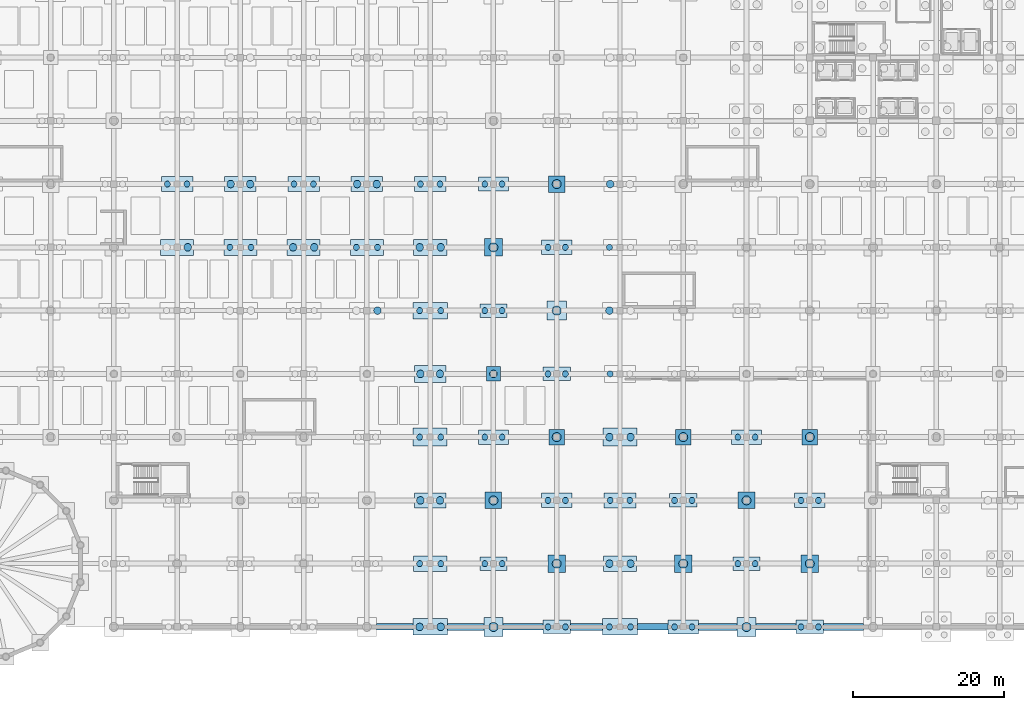
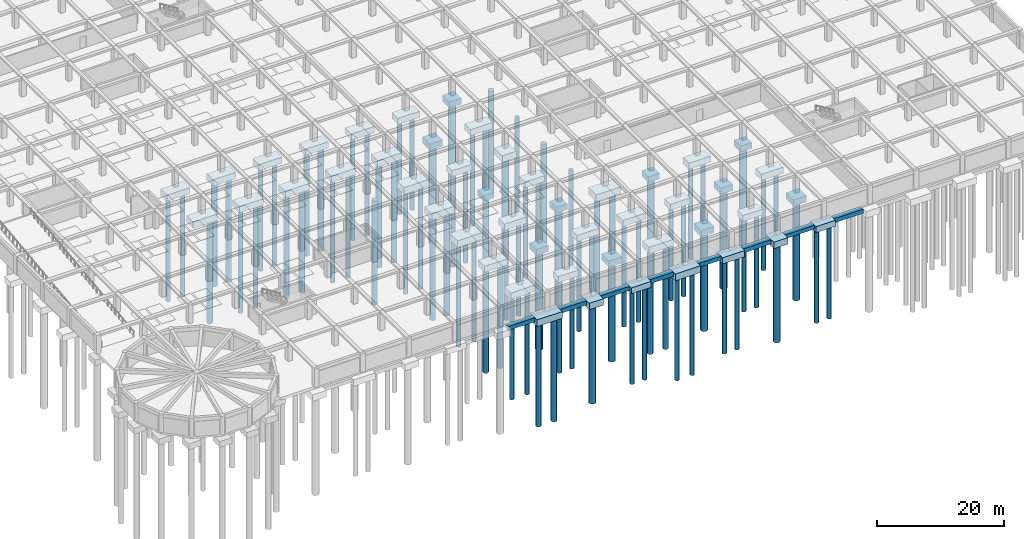
# One storey, part 2 of 47: 86 piles, 56 footings.
"""IFC4 building model written with IfcOpenShell, lengths in metres."""

from ifc_helpers import new_model, si_unit, direction, frame, origin, origin_2d, place, context, subcontext, project, spatial, rectangle, circle, extrude, material, layer, layer_set, material_profile, profile_set, type_object, element, save


model = new_model("IFC4")

# Units and contexts
model_context = context("Model", 3, precision=1e-05, world=origin(), true_north=direction((0.0, 1.0)))
body_context = subcontext(model_context, "Body", "Model", "MODEL_VIEW")
ifc_project = project(units=[si_unit("LENGTHUNIT", "METRE"), si_unit("AREAUNIT", "SQUARE_METRE"), si_unit("VOLUMEUNIT", "CUBIC_METRE"), si_unit("PLANEANGLEUNIT", "RADIAN"), si_unit("MASSUNIT", "GRAM", prefix="KILO")], contexts=[model_context])

# Site, building, storey
site_placement = place(None, origin())
site = spatial("IfcSite", under=ifc_project, at=site_placement, CompositionType="ELEMENT")
building_placement = place(site_placement, origin())
building = spatial("IfcBuilding", under=site, at=building_placement, Name="Almacenes y Pasaje Nevantli", CompositionType="ELEMENT")
storey_placement = place(building_placement, frame((0.0, 0.0, -8.10009765625)))
storey = spatial("IfcBuildingStorey", under=building, at=storey_placement, Name="B02", CompositionType="ELEMENT", Elevation=-8.10009765625)

# Footings
ifc_material_1 = material(Name="Concrete C45/55", Category="concrete")
ifc_layer_1 = layer(ifc_material_1, 1.300048828125)
ifc_layer_set_1 = layer_set([ifc_layer_1], Name="Concrete C45/55")
footing_type_1 = type_object("IfcFootingType", Name="FT-PC-06", PredefinedType="PILE_CAP", material=ifc_layer_set_1)
for number, where, z_axis, x_axis, name in (
    (1, (67.199951171875, 0.0, -1.7998046875), (0.0, 0.0, 1.0), (1.0, 0.0, 0.0), "Reinforced Concrete Pile Cap PC-06 #113"),
    (2, (67.199951171875, 42.0, -1.7998046875), (0.0, 0.0, 1.0), (1.0, 0.0, 0.0), "Reinforced Concrete Pile Cap PC-06 #118"),
    (3, (92.39990234375, 0.0, -1.7998046875), (0.0, 0.0, 1.0), (1.0, 0.0, 0.0), "Reinforced Concrete Pile Cap PC-06 #158"),
):
    element("IfcFooting", number, at=place(storey_placement, frame(where, z_axis=z_axis, x_axis=x_axis)), inside=storey, type_object=footing_type_1, Name=name, PredefinedType="PILE_CAP", context=body_context, shape_type="SweptSolid", body=[
        extrude(rectangle(XDim=4.60009765625, YDim=2.199951171875, at=origin_2d()), origin(), (0.0, 0.0, 1.0), 1.300048828125),
    ])
ifc_material_2 = material(Name="Concrete C45/55", Category="concrete")
ifc_layer_2 = layer(ifc_material_2, 1.25)
ifc_layer_set_2 = layer_set([ifc_layer_2], Name="Concrete C45/55")
footing_type_2 = type_object("IfcFootingType", Name="FT-PC-07", PredefinedType="PILE_CAP", material=ifc_layer_set_2)
for number, where, z_axis, x_axis, name in (
    (4, (33.60009765625, 50.39990234375, -1.75), (0.0, 0.0, 1.0), (1.0, 0.0, 0.0), "Reinforced Concrete Pile Cap PC-07 #59"),
    (5, (42.0, 50.39990234375, -1.75), (0.0, 0.0, 1.0), (1.0, 0.0, 0.0), "Reinforced Concrete Pile Cap PC-07 #74"),
    (6, (50.39990234375, 50.39990234375, -1.75), (0.0, 0.0, 1.0), (1.0, 0.0, 0.0), "Reinforced Concrete Pile Cap PC-07 #89"),
    (7, (58.800048828125, 50.39990234375, -1.75), (0.0, 0.0, 1.0), (1.0, 0.0, 0.0), "Reinforced Concrete Pile Cap PC-07 #104"),
    (8, (67.199951171875, 8.39990234375, -1.75), (0.0, 0.0, 1.0), (1.0, 0.0, 0.0), "Reinforced Concrete Pile Cap PC-07 #114"),
    (9, (67.199951171875, 50.39990234375, -1.75), (0.0, 0.0, 1.0), (1.0, 0.0, 0.0), "Reinforced Concrete Pile Cap PC-07 #119"),
    (10, (92.39990234375, 8.39990234375, -1.75), (0.0, 0.0, 1.0), (1.0, 0.0, 0.0), "Reinforced Concrete Pile Cap PC-07 #159"),
):
    element("IfcFooting", number, at=place(storey_placement, frame(where, z_axis=z_axis, x_axis=x_axis)), inside=storey, type_object=footing_type_2, Name=name, PredefinedType="PILE_CAP", context=body_context, shape_type="SweptSolid", body=[
        extrude(rectangle(XDim=4.39990234375, YDim=2.10009765625, at=origin_2d()), origin(), (0.0, 0.0, 1.0), 1.25),
    ])
ifc_material_3 = material(Name="Concrete C45/55", Category="concrete")
ifc_layer_3 = layer(ifc_material_3, 1.199951171875)
ifc_layer_set_3 = layer_set([ifc_layer_3], Name="Concrete C45/55")
footing_type_3 = type_object("IfcFootingType", Name="FT-PC-08", PredefinedType="PILE_CAP", material=ifc_layer_set_3)
for number, where, z_axis, x_axis, name in (
    (11, (33.60009765625, 58.800048828125, -1.69970703125), (0.0, 0.0, 1.0), (1.0, 0.0, 0.0), "Reinforced Concrete Pile Cap PC-08 #60"),
    (12, (42.0, 58.800048828125, -1.69970703125), (0.0, 0.0, 1.0), (1.0, 0.0, 0.0), "Reinforced Concrete Pile Cap PC-08 #75"),
    (13, (50.39990234375, 58.800048828125, -1.69970703125), (0.0, 0.0, 1.0), (1.0, 0.0, 0.0), "Reinforced Concrete Pile Cap PC-08 #90"),
    (14, (58.800048828125, 58.800048828125, -1.69970703125), (0.0, 0.0, 1.0), (1.0, 0.0, 0.0), "Reinforced Concrete Pile Cap PC-08 #105"),
    (15, (67.199951171875, 16.800048828125, -1.69970703125), (0.0, 0.0, 1.0), (1.0, 0.0, 0.0), "Reinforced Concrete Pile Cap PC-08 #115"),
    (16, (67.199951171875, 58.800048828125, -1.69970703125), (0.0, 0.0, 1.0), (1.0, 0.0, 0.0), "Reinforced Concrete Pile Cap PC-08 #120"),
    (17, (92.39990234375, 16.800048828125, -1.69970703125), (0.0, 0.0, 1.0), (1.0, 0.0, 0.0), "Reinforced Concrete Pile Cap PC-08 #160"),
):
    element("IfcFooting", number, at=place(storey_placement, frame(where, z_axis=z_axis, x_axis=x_axis)), inside=storey, type_object=footing_type_3, Name=name, PredefinedType="PILE_CAP", context=body_context, shape_type="SweptSolid", body=[
        extrude(rectangle(XDim=4.199951171875, YDim=2.0, at=origin_2d()), origin(), (0.0, 0.0, 1.0), 1.199951171875),
    ])
ifc_material_4 = material(Name="Concrete C45/55", Category="concrete")
ifc_layer_4 = layer(ifc_material_4, 1.199951171875)
ifc_layer_set_4 = layer_set([ifc_layer_4], Name="Concrete C45/55")
footing_type_4 = type_object("IfcFootingType", Name="FT-PC-09", PredefinedType="PILE_CAP", material=ifc_layer_set_4)
for number, where, z_axis, x_axis, name in (
    (18, (75.60009765625, 25.199951171875, -1.69970703125), (0.0, 0.0, 1.0), (1.0, 0.0, 0.0), "Reinforced Concrete Pile Cap PC-09 #131"),
    (19, (75.60009765625, 58.800048828125, -1.69970703125), (0.0, 0.0, 1.0), (1.0, 0.0, 0.0), "Reinforced Concrete Pile Cap PC-09 #135"),
    (20, (84.0, 16.800048828125, -1.69970703125), (0.0, 0.0, 1.0), (1.0, 0.0, 0.0), "Reinforced Concrete Pile Cap PC-09 #145"),
    (21, (84.0, 50.39990234375, -1.69970703125), (0.0, 0.0, 1.0), (1.0, 0.0, 0.0), "Reinforced Concrete Pile Cap PC-09 #149"),
    (22, (100.800048828125, 0.0, -1.69970703125), (0.0, 0.0, 1.0), (1.0, 0.0, 0.0), "Reinforced Concrete Pile Cap PC-09 #173"),
    (23, (109.199951171875, 25.199951171875, -1.69970703125), (0.0, 0.0, 1.0), (1.0, 0.0, 0.0), "Reinforced Concrete Pile Cap PC-09 #191"),
    (24, (117.60009765625, 16.800048828125, -1.69970703125), (0.0, 0.0, 1.0), (1.0, 0.0, 0.0), "Reinforced Concrete Pile Cap PC-09 #205"),
):
    element("IfcFooting", number, at=place(storey_placement, frame(where, z_axis=z_axis, x_axis=x_axis)), inside=storey, type_object=footing_type_4, Name=name, PredefinedType="PILE_CAP", context=body_context, shape_type="SweptSolid", body=[
        extrude(rectangle(XDim=4.0, YDim=1.89990234375, at=origin_2d()), origin(), (0.0, 0.0, 1.0), 1.199951171875),
    ])
ifc_material_5 = material(Name="Concrete C45/55", Category="concrete")
ifc_layer_5 = layer(ifc_material_5, 1.14990234375)
ifc_layer_set_5 = layer_set([ifc_layer_5], Name="Concrete C45/55")
footing_type_5 = type_object("IfcFootingType", Name="FT-PC-11", PredefinedType="PILE_CAP", material=ifc_layer_set_5)
for number, where, z_axis, x_axis, name in (
    (25, (75.60009765625, 8.39990234375, -1.64990234375), (0.0, 0.0, 1.0), (1.0, 0.0, 0.0), "Reinforced Concrete Pile Cap PC-11 #129"),
    (26, (75.60009765625, 42.0, -1.64990234375), (0.0, 0.0, 1.0), (1.0, 0.0, 0.0), "Reinforced Concrete Pile Cap PC-11 #133"),
    (27, (84.0, 0.0, -1.64990234375), (0.0, 0.0, 1.0), (1.0, 0.0, 0.0), "Reinforced Concrete Pile Cap PC-11 #143"),
    (28, (84.0, 33.60009765625, -1.64990234375), (0.0, 0.0, 1.0), (1.0, 0.0, 0.0), "Reinforced Concrete Pile Cap PC-11 #147"),
    (29, (100.800048828125, 16.800048828125, -1.64990234375), (0.0, 0.0, 1.0), (1.0, 0.0, 0.0), "Reinforced Concrete Pile Cap PC-11 #175"),
    (30, (109.199951171875, 8.39990234375, -1.64990234375), (0.0, 0.0, 1.0), (1.0, 0.0, 0.0), "Reinforced Concrete Pile Cap PC-11 #189"),
    (31, (117.60009765625, 0.0, -1.64990234375), (0.0, 0.0, 1.0), (1.0, 0.0, 0.0), "Reinforced Concrete Pile Cap PC-11 #203"),
):
    element("IfcFooting", number, at=place(storey_placement, frame(where, z_axis=z_axis, x_axis=x_axis)), inside=storey, type_object=footing_type_5, Name=name, PredefinedType="PILE_CAP", context=body_context, shape_type="SweptSolid", body=[
        extrude(rectangle(XDim=3.60009765625, YDim=1.800048828125, at=origin_2d()), origin(), (0.0, 0.0, 1.0), 1.14990234375),
    ])
ifc_material_6 = material(Name="Concrete C45/55", Category="concrete")
ifc_layer_6 = layer(ifc_material_6, 1.25)
ifc_layer_set_6 = layer_set([ifc_layer_6], Name="Concrete C45/55")
footing_type_6 = type_object("IfcFootingType", Name="FT-PC-15", PredefinedType="PILE_CAP", material=ifc_layer_set_6)
for number, where, z_axis, x_axis, name in (
    (32, (75.60009765625, 0.0, -1.75), (0.0, 0.0, 1.0), (1.0, 0.0, 0.0), "Reinforced Concrete Pile Cap PC-15 #128"),
    (33, (84.0, 42.0, -1.75), (0.0, 0.0, 1.0), (1.0, 0.0, 0.0), "Reinforced Concrete Pile Cap PC-15 #148"),
    (34, (109.199951171875, 0.0, -1.75), (0.0, 0.0, 1.0), (1.0, 0.0, 0.0), "Reinforced Concrete Pile Cap PC-15 #188"),
):
    element("IfcFooting", number, at=place(storey_placement, frame(where, z_axis=z_axis, x_axis=x_axis)), inside=storey, type_object=footing_type_6, Name=name, PredefinedType="PILE_CAP", context=body_context, shape_type="SweptSolid", body=[
        extrude(rectangle(XDim=2.550048828125, YDim=2.550048828125, at=origin_2d()), origin(), (0.0, 0.0, 1.0), 1.25),
    ])
ifc_material_7 = material(Name="Concrete C45/55", Category="concrete")
ifc_layer_7 = layer(ifc_material_7, 1.199951171875)
ifc_layer_set_7 = layer_set([ifc_layer_7], Name="Concrete C45/55")
footing_type_7 = type_object("IfcFootingType", Name="FT-PC-16", PredefinedType="PILE_CAP", material=ifc_layer_set_7)
for number, where, z_axis, x_axis, name in (
    (35, (75.60009765625, 50.39990234375, -1.69970703125), (0.0, 0.0, 1.0), (1.0, 0.0, 0.0), "Reinforced Concrete Pile Cap PC-16 #134"),
    (36, (84.0, 8.39990234375, -1.69970703125), (0.0, 0.0, 1.0), (1.0, 0.0, 0.0), "Reinforced Concrete Pile Cap PC-16 #144"),
    (37, (100.800048828125, 8.39990234375, -1.69970703125), (0.0, 0.0, 1.0), (1.0, 0.0, 0.0), "Reinforced Concrete Pile Cap PC-16 #174"),
    (38, (117.60009765625, 8.39990234375, -1.69970703125), (0.0, 0.0, 1.0), (1.0, 0.0, 0.0), "Reinforced Concrete Pile Cap PC-16 #204"),
):
    element("IfcFooting", number, at=place(storey_placement, frame(where, z_axis=z_axis, x_axis=x_axis)), inside=storey, type_object=footing_type_7, Name=name, PredefinedType="PILE_CAP", context=body_context, shape_type="SweptSolid", body=[
        extrude(rectangle(XDim=2.35009765625, YDim=2.35009765625, at=origin_2d()), origin(), (0.0, 0.0, 1.0), 1.199951171875),
    ])
ifc_material_8 = material(Name="Concrete C45/55", Category="concrete")
ifc_layer_8 = layer(ifc_material_8, 1.14990234375)
ifc_layer_set_8 = layer_set([ifc_layer_8], Name="Concrete C45/55")
footing_type_8 = type_object("IfcFootingType", Name="FT-PC-17", PredefinedType="PILE_CAP", material=ifc_layer_set_8)
for number, where, z_axis, x_axis, name in (
    (39, (75.60009765625, 16.800048828125, -1.64990234375), (0.0, 0.0, 1.0), (1.0, 0.0, 0.0), "Reinforced Concrete Pile Cap PC-17 #130"),
    (40, (84.0, 58.800048828125, -1.64990234375), (0.0, 0.0, 1.0), (1.0, 0.0, 0.0), "Reinforced Concrete Pile Cap PC-17 #150"),
    (41, (109.199951171875, 16.800048828125, -1.64990234375), (0.0, 0.0, 1.0), (1.0, 0.0, 0.0), "Reinforced Concrete Pile Cap PC-17 #190"),
):
    element("IfcFooting", number, at=place(storey_placement, frame(where, z_axis=z_axis, x_axis=x_axis)), inside=storey, type_object=footing_type_8, Name=name, PredefinedType="PILE_CAP", context=body_context, shape_type="SweptSolid", body=[
        extrude(rectangle(XDim=2.199951171875, YDim=2.199951171875, at=origin_2d()), origin(), (0.0, 0.0, 1.0), 1.14990234375),
    ])
ifc_material_9 = material(Name="Concrete C45/55", Category="concrete")
ifc_layer_9 = layer(ifc_material_9, 1.10009765625)
ifc_layer_set_9 = layer_set([ifc_layer_9], Name="Concrete C45/55")
footing_type_9 = type_object("IfcFootingType", Name="FT-PC-18", PredefinedType="PILE_CAP", material=ifc_layer_set_9)
for number, where, z_axis, x_axis, name in (
    (42, (84.0, 25.199951171875, -1.599853515625), (0.0, 0.0, 1.0), (1.0, 0.0, 0.0), "Reinforced Concrete Pile Cap PC-18 #146"),
    (43, (100.800048828125, 25.199951171875, -1.599853515625), (0.0, 0.0, 1.0), (1.0, 0.0, 0.0), "Reinforced Concrete Pile Cap PC-18 #176"),
    (44, (117.60009765625, 25.199951171875, -1.599853515625), (0.0, 0.0, 1.0), (1.0, 0.0, 0.0), "Reinforced Concrete Pile Cap PC-18 #206"),
):
    element("IfcFooting", number, at=place(storey_placement, frame(where, z_axis=z_axis, x_axis=x_axis)), inside=storey, type_object=footing_type_9, Name=name, PredefinedType="PILE_CAP", context=body_context, shape_type="SweptSolid", body=[
        extrude(rectangle(XDim=2.050048828125, YDim=2.050048828125, at=origin_2d()), origin(), (0.0, 0.0, 1.0), 1.10009765625),
    ])
ifc_material_10 = material(Name="Concrete C45/55", Category="concrete")
ifc_layer_10 = layer(ifc_material_10, 1.050048828125)
ifc_layer_set_10 = layer_set([ifc_layer_10], Name="Concrete C45/55")
footing_type_10 = type_object("IfcFootingType", Name="FT-PC-19", PredefinedType="PILE_CAP", material=ifc_layer_set_10)
footing_1_placement = place(storey_placement, frame((75.60009765625, 33.60009765625, -1.5498046875), z_axis=(0.0, 0.0, 1.0), x_axis=(1.0, 0.0, 0.0)))
element("IfcFooting", 45, at=footing_1_placement, inside=storey, type_object=footing_type_10, Name="Reinforced Concrete Pile Cap PC-19 #132", PredefinedType="PILE_CAP", context=body_context, shape_type="SweptSolid", body=[
    extrude(rectangle(XDim=1.89990234375, YDim=1.89990234375, at=origin_2d()), origin(), (0.0, 0.0, 1.0), 1.050048828125),
])
ifc_material_11 = material(Name="Concrete C45/55", Category="concrete")
ifc_layer_11 = layer(ifc_material_11, 1.300048828125)
ifc_layer_set_11 = layer_set([ifc_layer_11], Name="Concrete C45/55")
footing_type_11 = type_object("IfcFootingType", Name="FT-PC-20", PredefinedType="PILE_CAP", material=ifc_layer_set_11)
for number, where, z_axis, x_axis, name in (
    (46, (67.199951171875, 25.199951171875, -1.7998046875), (0.0, 0.0, 1.0), (1.0, 0.0, 0.0), "Reinforced Concrete Pile Cap PC-20 #116"),
    (47, (92.39990234375, 25.199951171875, -1.7998046875), (0.0, 0.0, 1.0), (1.0, 0.0, 0.0), "Reinforced Concrete Pile Cap PC-20 #161"),
):
    element("IfcFooting", number, at=place(storey_placement, frame(where, z_axis=z_axis, x_axis=x_axis)), inside=storey, type_object=footing_type_11, Name=name, PredefinedType="PILE_CAP", context=body_context, shape_type="SweptSolid", body=[
        extrude(rectangle(XDim=4.5, YDim=2.39990234375, at=origin_2d()), origin(), (0.0, 0.0, 1.0), 1.300048828125),
    ])
ifc_material_12 = material(Name="Concrete C45/55", Category="concrete")
ifc_layer_12 = layer(ifc_material_12, 1.25)
ifc_layer_set_12 = layer_set([ifc_layer_12], Name="Concrete C45/55")
footing_type_12 = type_object("IfcFootingType", Name="FT-PC-21", PredefinedType="PILE_CAP", material=ifc_layer_set_12)
footing_2_placement = place(storey_placement, frame((67.199951171875, 33.60009765625, -1.75), z_axis=(0.0, 0.0, 1.0), x_axis=(1.0, 0.0, 0.0)))
element("IfcFooting", 48, at=footing_2_placement, inside=storey, type_object=footing_type_12, Name="Reinforced Concrete Pile Cap PC-21 #117", PredefinedType="PILE_CAP", context=body_context, shape_type="SweptSolid", body=[
    extrude(rectangle(XDim=4.14990234375, YDim=2.25, at=origin_2d()), origin(), (0.0, 0.0, 1.0), 1.25),
])
ifc_material_13 = material(Name="Concrete C45/55", Category="concrete")
ifc_layer_13 = layer(ifc_material_13, 0.800048828125)
ifc_layer_set_13 = layer_set([ifc_layer_13], Name="Concrete C45/55")
footing_type_13 = type_object("IfcFootingType", Name="FT-SF-01", PredefinedType="STRIP_FOOTING", material=ifc_layer_set_13)
footing_3_placement = place(storey_placement, frame((71.91259765625, 0.0, -1.2998046875), z_axis=(0.0, 0.0, 1.0), x_axis=(1.0, 0.0, 0.0)))
element("IfcFooting", 49, at=footing_3_placement, inside=storey, type_object=footing_type_13, Name="Continuous Perimeter Strip Footing #25", PredefinedType="STRIP_FOOTING", context=body_context, shape_type="SweptSolid", body=[
    extrude(rectangle(XDim=4.824951171875, YDim=0.89990234375, at=origin_2d()), origin(), (0.0, 0.0, 1.0), 0.800048828125),
])
footing_4_placement = place(storey_placement, frame((87.949951171875, 0.0, -1.2998046875), z_axis=(0.0, 0.0, 1.0), x_axis=(1.0, 0.0, 0.0)))
element("IfcFooting", 50, at=footing_4_placement, inside=storey, type_object=footing_type_13, Name="Continuous Perimeter Strip Footing #27", PredefinedType="STRIP_FOOTING", context=body_context, shape_type="SweptSolid", body=[
    extrude(rectangle(XDim=4.300048828125, YDim=0.89990234375, at=origin_2d()), origin(), (0.0, 0.0, 1.0), 0.800048828125),
])
footing_5_placement = place(storey_placement, frame((105.362548828125, 0.0, -1.2998046875), z_axis=(0.0, 0.0, 1.0), x_axis=(1.0, 0.0, 0.0)))
element("IfcFooting", 51, at=footing_5_placement, inside=storey, type_object=footing_type_13, Name="Continuous Perimeter Strip Footing #29", PredefinedType="STRIP_FOOTING", context=body_context, shape_type="SweptSolid", body=[
    extrude(rectangle(XDim=5.125, YDim=0.89990234375, at=origin_2d()), origin(), (0.0, 0.0, 1.0), 0.800048828125),
])
footing_6_placement = place(storey_placement, frame((122.0625, 0.0, -1.2998046875), z_axis=(0.0, 0.0, 1.0), x_axis=(1.0, 0.0, 0.0)))
element("IfcFooting", 52, at=footing_6_placement, inside=storey, type_object=footing_type_13, Name="Continuous Perimeter Strip Footing #31", PredefinedType="STRIP_FOOTING", context=body_context, shape_type="SweptSolid", body=[
    extrude(rectangle(XDim=5.324951171875, YDim=0.89990234375, at=origin_2d()), origin(), (0.0, 0.0, 1.0), 0.800048828125),
])
ifc_material_14 = material(Name="Concrete C45/55", Category="concrete")
ifc_layer_14 = layer(ifc_material_14, 0.75)
ifc_layer_set_14 = layer_set([ifc_layer_14], Name="Concrete C45/55")
footing_type_14 = type_object("IfcFootingType", Name="FT-SF-02", PredefinedType="STRIP_FOOTING", material=ifc_layer_set_14)
footing_7_placement = place(storey_placement, frame((62.487548828125, 0.0, -1.25), z_axis=(0.0, 0.0, 1.0), x_axis=(1.0, 0.0, 0.0)))
element("IfcFooting", 53, at=footing_7_placement, inside=storey, type_object=footing_type_14, Name="Continuous Perimeter Strip Footing #24", PredefinedType="STRIP_FOOTING", context=body_context, shape_type="SweptSolid", body=[
    extrude(rectangle(XDim=4.824951171875, YDim=0.85009765625, at=origin_2d()), origin(), (0.0, 0.0, 1.0), 0.75),
])
footing_8_placement = place(storey_placement, frame((79.53759765625, 0.0, -1.25), z_axis=(0.0, 0.0, 1.0), x_axis=(1.0, 0.0, 0.0)))
element("IfcFooting", 54, at=footing_8_placement, inside=storey, type_object=footing_type_14, Name="Continuous Perimeter Strip Footing #26", PredefinedType="STRIP_FOOTING", context=body_context, shape_type="SweptSolid", body=[
    extrude(rectangle(XDim=5.324951171875, YDim=0.85009765625, at=origin_2d()), origin(), (0.0, 0.0, 1.0), 0.75),
])
footing_9_placement = place(storey_placement, frame((96.75, 0.0, -1.25), z_axis=(0.0, 0.0, 1.0), x_axis=(1.0, 0.0, 0.0)))
element("IfcFooting", 55, at=footing_9_placement, inside=storey, type_object=footing_type_14, Name="Continuous Perimeter Strip Footing #28", PredefinedType="STRIP_FOOTING", context=body_context, shape_type="SweptSolid", body=[
    extrude(rectangle(XDim=4.10009765625, YDim=0.85009765625, at=origin_2d()), origin(), (0.0, 0.0, 1.0), 0.75),
])
footing_10_placement = place(storey_placement, frame((113.137451171875, 0.0, -1.25), z_axis=(0.0, 0.0, 1.0), x_axis=(1.0, 0.0, 0.0)))
element("IfcFooting", 56, at=footing_10_placement, inside=storey, type_object=footing_type_14, Name="Continuous Perimeter Strip Footing #30", PredefinedType="STRIP_FOOTING", context=body_context, shape_type="SweptSolid", body=[
    extrude(rectangle(XDim=5.324951171875, YDim=0.85009765625, at=origin_2d()), origin(), (0.0, 0.0, 1.0), 0.75),
])

# Piles
ifc_material_15 = material(Name="Concrete C45/55", Category="concrete")
ifc_material_profile_1 = material_profile(ifc_material_15, circle(Radius=0.5, at=origin_2d()), Name="RC-PILE-D1000")
ifc_profile_set_1 = profile_set([ifc_material_profile_1], Name="Concrete C45/55")
pile_type_1 = type_object("IfcPileType", Name="PL-BORED-1000", PredefinedType="BORED", material=ifc_profile_set_1)
for number, where, z_axis, x_axis, name in (
    (57, (35.0, 50.39990234375, -1.699951171875), (0.0, 0.0, -1.0), (1.0, 0.0, 0.0), "Bored Pile PL-1000 #90"),
    (58, (40.699951171875, 58.800048828125, -1.64990234375), (0.0, 0.0, -1.0), (1.0, 0.0, 0.0), "Bored Pile PL-1000 #116"),
    (59, (43.300048828125, 58.800048828125, -1.64990234375), (0.0, 0.0, -1.0), (1.0, 0.0, 0.0), "Bored Pile PL-1000 #117"),
    (60, (49.0, 50.39990234375, -1.699951171875), (0.0, 0.0, -1.0), (1.0, 0.0, 0.0), "Bored Pile PL-1000 #139"),
    (61, (51.800048828125, 50.39990234375, -1.699951171875), (0.0, 0.0, -1.0), (1.0, 0.0, 0.0), "Bored Pile PL-1000 #140"),
    (62, (60.199951171875, 42.0, -1.75), (0.0, 0.0, -1.0), (1.0, 0.0, 0.0), "Bored Pile PL-1000 #163"),
    (63, (57.5, 58.800048828125, -1.64990234375), (0.0, 0.0, -1.0), (1.0, 0.0, 0.0), "Bored Pile PL-1000 #166"),
    (64, (60.10009765625, 58.800048828125, -1.64990234375), (0.0, 0.0, -1.0), (1.0, 0.0, 0.0), "Bored Pile PL-1000 #167"),
    (65, (65.800048828125, 0.0, -1.75), (0.0, 0.0, -1.0), (1.0, 0.0, 0.0), "Bored Pile PL-1000 #179"),
    (66, (68.60009765625, 0.0, -1.75), (0.0, 0.0, -1.0), (1.0, 0.0, 0.0), "Bored Pile PL-1000 #180"),
    (67, (65.89990234375, 16.800048828125, -1.64990234375), (0.0, 0.0, -1.0), (1.0, 0.0, 0.0), "Bored Pile PL-1000 #183"),
    (68, (68.5, 16.800048828125, -1.64990234375), (0.0, 0.0, -1.0), (1.0, 0.0, 0.0), "Bored Pile PL-1000 #184"),
    (69, (65.89990234375, 33.60009765625, -1.699951171875), (0.0, 0.0, -1.0), (1.0, 0.0, 0.0), "Bored Pile PL-1000 #187"),
    (70, (68.5, 33.60009765625, -1.699951171875), (0.0, 0.0, -1.0), (1.0, 0.0, 0.0), "Bored Pile PL-1000 #188"),
    (71, (65.800048828125, 50.39990234375, -1.699951171875), (0.0, 0.0, -1.0), (1.0, 0.0, 0.0), "Bored Pile PL-1000 #191"),
    (72, (68.60009765625, 50.39990234375, -1.699951171875), (0.0, 0.0, -1.0), (1.0, 0.0, 0.0), "Bored Pile PL-1000 #192"),
):
    element("IfcPile", number, at=place(storey_placement, frame(where, z_axis=z_axis, x_axis=x_axis)), inside=storey, type_object=pile_type_1, Name=name, PredefinedType="BORED", context=body_context, shape_type="SweptSolid", body=[
        extrude(circle(Radius=0.5, at=origin_2d()), origin(), (0.0, 0.0, 1.0), 20.0),
    ])
pile_placement = place(storey_placement, frame((75.60009765625, 33.60009765625, -1.5), z_axis=(0.0, 0.0, -1.0), x_axis=(1.0, 0.0, 0.0)))
element("IfcPile", 73, at=pile_placement, inside=storey, type_object=pile_type_1, Name="Bored Pile PL-1000 #215", PredefinedType="BORED", context=body_context, shape_type="SweptSolid", body=[
    extrude(circle(Radius=0.5, at=origin_2d()), origin(), (0.0, 0.0, 1.0), 19.0),
])
for number, where, z_axis, x_axis, name in (
    (74, (91.0, 8.39990234375, -1.699951171875), (0.0, 0.0, -1.0), (1.0, 0.0, 0.0), "Bored Pile PL-1000 #256"),
    (75, (93.800048828125, 8.39990234375, -1.699951171875), (0.0, 0.0, -1.0), (1.0, 0.0, 0.0), "Bored Pile PL-1000 #257"),
    (76, (91.0, 25.199951171875, -1.75), (0.0, 0.0, -1.0), (1.0, 0.0, 0.0), "Bored Pile PL-1000 #260"),
    (77, (93.800048828125, 25.199951171875, -1.75), (0.0, 0.0, -1.0), (1.0, 0.0, 0.0), "Bored Pile PL-1000 #261"),
    (78, (91.0, 42.0, -1.75), (0.0, 0.0, -1.0), (1.0, 0.0, 0.0), "Bored Pile PL-1000 #264"),
    (79, (91.10009765625, 58.800048828125, -1.64990234375), (0.0, 0.0, -1.0), (1.0, 0.0, 0.0), "Bored Pile PL-1000 #268"),
):
    element("IfcPile", number, at=place(storey_placement, frame(where, z_axis=z_axis, x_axis=x_axis)), inside=storey, type_object=pile_type_1, Name=name, PredefinedType="BORED", context=body_context, shape_type="SweptSolid", body=[
        extrude(circle(Radius=0.5, at=origin_2d()), origin(), (0.0, 0.0, 1.0), 20.0),
    ])
ifc_material_16 = material(Name="Concrete C45/55", Category="concrete")
ifc_material_profile_2 = material_profile(ifc_material_16, circle(Radius=0.60009765625, at=origin_2d()), Name="RC-PILE-D1200")
ifc_profile_set_2 = profile_set([ifc_material_profile_2], Name="Concrete C45/55")
pile_type_2 = type_object("IfcPileType", Name="PL-BORED-1200", PredefinedType="BORED", material=ifc_profile_set_2)
for number, where, z_axis, x_axis, name in (
    (80, (75.60009765625, 0.0, -1.699951171875), (0.0, 0.0, -1.0), (1.0, 0.0, 0.0), "Bored Pile PL-1200 #209"),
    (81, (75.60009765625, 16.800048828125, -1.599853515625), (0.0, 0.0, -1.0), (1.0, 0.0, 0.0), "Bored Pile PL-1200 #212"),
    (82, (75.60009765625, 50.39990234375, -1.64990234375), (0.0, 0.0, -1.0), (1.0, 0.0, 0.0), "Bored Pile PL-1200 #218"),
    (83, (84.0, 8.39990234375, -1.64990234375), (0.0, 0.0, -1.0), (1.0, 0.0, 0.0), "Bored Pile PL-1200 #233"),
    (84, (84.0, 25.199951171875, -1.5498046875), (0.0, 0.0, -1.0), (1.0, 0.0, 0.0), "Bored Pile PL-1200 #236"),
    (85, (84.0, 42.0, -1.699951171875), (0.0, 0.0, -1.0), (1.0, 0.0, 0.0), "Bored Pile PL-1200 #239"),
    (86, (84.0, 58.800048828125, -1.599853515625), (0.0, 0.0, -1.0), (1.0, 0.0, 0.0), "Bored Pile PL-1200 #242"),
    (87, (100.800048828125, 8.39990234375, -1.64990234375), (0.0, 0.0, -1.0), (1.0, 0.0, 0.0), "Bored Pile PL-1200 #286"),
    (88, (100.800048828125, 25.199951171875, -1.5498046875), (0.0, 0.0, -1.0), (1.0, 0.0, 0.0), "Bored Pile PL-1200 #289"),
    (89, (109.199951171875, 0.0, -1.699951171875), (0.0, 0.0, -1.0), (1.0, 0.0, 0.0), "Bored Pile PL-1200 #307"),
    (90, (109.199951171875, 16.800048828125, -1.599853515625), (0.0, 0.0, -1.0), (1.0, 0.0, 0.0), "Bored Pile PL-1200 #310"),
    (91, (117.60009765625, 8.39990234375, -1.64990234375), (0.0, 0.0, -1.0), (1.0, 0.0, 0.0), "Bored Pile PL-1200 #344"),
    (92, (117.60009765625, 25.199951171875, -1.5498046875), (0.0, 0.0, -1.0), (1.0, 0.0, 0.0), "Bored Pile PL-1200 #347"),
):
    element("IfcPile", number, at=place(storey_placement, frame(where, z_axis=z_axis, x_axis=x_axis)), inside=storey, type_object=pile_type_2, Name=name, PredefinedType="BORED", context=body_context, shape_type="SweptSolid", body=[
        extrude(circle(Radius=0.60009765625, at=origin_2d()), origin(), (0.0, 0.0, 1.0), 19.0),
    ])
ifc_material_17 = material(Name="Concrete C45/55", Category="concrete")
ifc_material_profile_3 = material_profile(ifc_material_17, circle(Radius=0.39990234375, at=origin_2d()), Name="RC-PILE-D800")
ifc_profile_set_3 = profile_set([ifc_material_profile_3], Name="Concrete C45/55")
pile_type_3 = type_object("IfcPileType", Name="PL-BORED-800", PredefinedType="BORED", material=ifc_profile_set_3)
for number, where, z_axis, x_axis, name in (
    (93, (32.300048828125, 58.800048828125, -1.64990234375), (0.0, 0.0, -1.0), (1.0, 0.0, 0.0), "Bored Pile PL-800 #91"),
    (94, (34.89990234375, 58.800048828125, -1.64990234375), (0.0, 0.0, -1.0), (1.0, 0.0, 0.0), "Bored Pile PL-800 #92"),
    (95, (40.60009765625, 50.39990234375, -1.699951171875), (0.0, 0.0, -1.0), (1.0, 0.0, 0.0), "Bored Pile PL-800 #114"),
    (96, (43.39990234375, 50.39990234375, -1.699951171875), (0.0, 0.0, -1.0), (1.0, 0.0, 0.0), "Bored Pile PL-800 #115"),
    (97, (49.10009765625, 58.800048828125, -1.64990234375), (0.0, 0.0, -1.0), (1.0, 0.0, 0.0), "Bored Pile PL-800 #141"),
    (98, (51.699951171875, 58.800048828125, -1.64990234375), (0.0, 0.0, -1.0), (1.0, 0.0, 0.0), "Bored Pile PL-800 #142"),
    (99, (57.39990234375, 50.39990234375, -1.699951171875), (0.0, 0.0, -1.0), (1.0, 0.0, 0.0), "Bored Pile PL-800 #164"),
    (100, (60.199951171875, 50.39990234375, -1.699951171875), (0.0, 0.0, -1.0), (1.0, 0.0, 0.0), "Bored Pile PL-800 #165"),
    (101, (65.800048828125, 8.39990234375, -1.699951171875), (0.0, 0.0, -1.0), (1.0, 0.0, 0.0), "Bored Pile PL-800 #181"),
    (102, (68.60009765625, 8.39990234375, -1.699951171875), (0.0, 0.0, -1.0), (1.0, 0.0, 0.0), "Bored Pile PL-800 #182"),
    (103, (65.800048828125, 25.199951171875, -1.75), (0.0, 0.0, -1.0), (1.0, 0.0, 0.0), "Bored Pile PL-800 #185"),
    (104, (68.60009765625, 25.199951171875, -1.75), (0.0, 0.0, -1.0), (1.0, 0.0, 0.0), "Bored Pile PL-800 #186"),
    (105, (65.800048828125, 42.0, -1.75), (0.0, 0.0, -1.0), (1.0, 0.0, 0.0), "Bored Pile PL-800 #189"),
    (106, (68.60009765625, 42.0, -1.75), (0.0, 0.0, -1.0), (1.0, 0.0, 0.0), "Bored Pile PL-800 #190"),
    (107, (65.89990234375, 58.800048828125, -1.64990234375), (0.0, 0.0, -1.0), (1.0, 0.0, 0.0), "Bored Pile PL-800 #193"),
    (108, (68.5, 58.800048828125, -1.64990234375), (0.0, 0.0, -1.0), (1.0, 0.0, 0.0), "Bored Pile PL-800 #194"),
):
    element("IfcPile", number, at=place(storey_placement, frame(where, z_axis=z_axis, x_axis=x_axis)), inside=storey, type_object=pile_type_3, Name=name, PredefinedType="BORED", context=body_context, shape_type="SweptSolid", body=[
        extrude(circle(Radius=0.39990234375, at=origin_2d()), origin(), (0.0, 0.0, 1.0), 20.0),
    ])
for number, where, z_axis, x_axis, name in (
    (109, (74.449951171875, 8.39990234375, -1.599853515625), (0.0, 0.0, -1.0), (1.0, 0.0, 0.0), "Bored Pile PL-800 #210"),
    (110, (76.75, 8.39990234375, -1.599853515625), (0.0, 0.0, -1.0), (1.0, 0.0, 0.0), "Bored Pile PL-800 #211"),
    (111, (74.449951171875, 25.199951171875, -1.64990234375), (0.0, 0.0, -1.0), (1.0, 0.0, 0.0), "Bored Pile PL-800 #213"),
    (112, (76.75, 25.199951171875, -1.64990234375), (0.0, 0.0, -1.0), (1.0, 0.0, 0.0), "Bored Pile PL-800 #214"),
    (113, (74.449951171875, 42.0, -1.599853515625), (0.0, 0.0, -1.0), (1.0, 0.0, 0.0), "Bored Pile PL-800 #216"),
    (114, (76.75, 42.0, -1.599853515625), (0.0, 0.0, -1.0), (1.0, 0.0, 0.0), "Bored Pile PL-800 #217"),
    (115, (74.449951171875, 58.800048828125, -1.64990234375), (0.0, 0.0, -1.0), (1.0, 0.0, 0.0), "Bored Pile PL-800 #219"),
    (116, (76.75, 58.800048828125, -1.64990234375), (0.0, 0.0, -1.0), (1.0, 0.0, 0.0), "Bored Pile PL-800 #220"),
    (117, (82.85009765625, 0.0, -1.599853515625), (0.0, 0.0, -1.0), (1.0, 0.0, 0.0), "Bored Pile PL-800 #231"),
    (118, (85.14990234375, 0.0, -1.599853515625), (0.0, 0.0, -1.0), (1.0, 0.0, 0.0), "Bored Pile PL-800 #232"),
    (119, (82.85009765625, 16.800048828125, -1.64990234375), (0.0, 0.0, -1.0), (1.0, 0.0, 0.0), "Bored Pile PL-800 #234"),
    (120, (85.14990234375, 16.800048828125, -1.64990234375), (0.0, 0.0, -1.0), (1.0, 0.0, 0.0), "Bored Pile PL-800 #235"),
    (121, (82.85009765625, 33.60009765625, -1.599853515625), (0.0, 0.0, -1.0), (1.0, 0.0, 0.0), "Bored Pile PL-800 #237"),
    (122, (85.14990234375, 33.60009765625, -1.599853515625), (0.0, 0.0, -1.0), (1.0, 0.0, 0.0), "Bored Pile PL-800 #238"),
    (123, (82.85009765625, 50.39990234375, -1.64990234375), (0.0, 0.0, -1.0), (1.0, 0.0, 0.0), "Bored Pile PL-800 #240"),
    (124, (85.14990234375, 50.39990234375, -1.64990234375), (0.0, 0.0, -1.0), (1.0, 0.0, 0.0), "Bored Pile PL-800 #241"),
):
    element("IfcPile", number, at=place(storey_placement, frame(where, z_axis=z_axis, x_axis=x_axis)), inside=storey, type_object=pile_type_3, Name=name, PredefinedType="BORED", context=body_context, shape_type="SweptSolid", body=[
        extrude(circle(Radius=0.39990234375, at=origin_2d()), origin(), (0.0, 0.0, 1.0), 18.0),
    ])
for number, where, z_axis, x_axis, name in (
    (125, (91.0, 0.0, -1.75), (0.0, 0.0, -1.0), (1.0, 0.0, 0.0), "Bored Pile PL-800 #254"),
    (126, (93.800048828125, 0.0, -1.75), (0.0, 0.0, -1.0), (1.0, 0.0, 0.0), "Bored Pile PL-800 #255"),
    (127, (91.10009765625, 16.800048828125, -1.64990234375), (0.0, 0.0, -1.0), (1.0, 0.0, 0.0), "Bored Pile PL-800 #258"),
    (128, (93.699951171875, 16.800048828125, -1.64990234375), (0.0, 0.0, -1.0), (1.0, 0.0, 0.0), "Bored Pile PL-800 #259"),
    (129, (91.10009765625, 33.60009765625, -1.699951171875), (0.0, 0.0, -1.0), (1.0, 0.0, 0.0), "Bored Pile PL-800 #262"),
    (130, (91.0, 50.39990234375, -1.699951171875), (0.0, 0.0, -1.0), (1.0, 0.0, 0.0), "Bored Pile PL-800 #266"),
):
    element("IfcPile", number, at=place(storey_placement, frame(where, z_axis=z_axis, x_axis=x_axis)), inside=storey, type_object=pile_type_3, Name=name, PredefinedType="BORED", context=body_context, shape_type="SweptSolid", body=[
        extrude(circle(Radius=0.39990234375, at=origin_2d()), origin(), (0.0, 0.0, 1.0), 20.0),
    ])
for number, where, z_axis, x_axis, name in (
    (131, (99.64990234375, 0.0, -1.64990234375), (0.0, 0.0, -1.0), (1.0, 0.0, 0.0), "Bored Pile PL-800 #284"),
    (132, (101.949951171875, 0.0, -1.64990234375), (0.0, 0.0, -1.0), (1.0, 0.0, 0.0), "Bored Pile PL-800 #285"),
    (133, (99.64990234375, 16.800048828125, -1.599853515625), (0.0, 0.0, -1.0), (1.0, 0.0, 0.0), "Bored Pile PL-800 #287"),
    (134, (101.949951171875, 16.800048828125, -1.599853515625), (0.0, 0.0, -1.0), (1.0, 0.0, 0.0), "Bored Pile PL-800 #288"),
    (135, (108.050048828125, 8.39990234375, -1.599853515625), (0.0, 0.0, -1.0), (1.0, 0.0, 0.0), "Bored Pile PL-800 #308"),
    (136, (110.35009765625, 8.39990234375, -1.599853515625), (0.0, 0.0, -1.0), (1.0, 0.0, 0.0), "Bored Pile PL-800 #309"),
    (137, (108.050048828125, 25.199951171875, -1.64990234375), (0.0, 0.0, -1.0), (1.0, 0.0, 0.0), "Bored Pile PL-800 #311"),
    (138, (110.35009765625, 25.199951171875, -1.64990234375), (0.0, 0.0, -1.0), (1.0, 0.0, 0.0), "Bored Pile PL-800 #312"),
    (139, (116.449951171875, 0.0, -1.599853515625), (0.0, 0.0, -1.0), (1.0, 0.0, 0.0), "Bored Pile PL-800 #342"),
    (140, (118.75, 0.0, -1.599853515625), (0.0, 0.0, -1.0), (1.0, 0.0, 0.0), "Bored Pile PL-800 #343"),
    (141, (116.449951171875, 16.800048828125, -1.64990234375), (0.0, 0.0, -1.0), (1.0, 0.0, 0.0), "Bored Pile PL-800 #345"),
    (142, (118.75, 16.800048828125, -1.64990234375), (0.0, 0.0, -1.0), (1.0, 0.0, 0.0), "Bored Pile PL-800 #346"),
):
    element("IfcPile", number, at=place(storey_placement, frame(where, z_axis=z_axis, x_axis=x_axis)), inside=storey, type_object=pile_type_3, Name=name, PredefinedType="BORED", context=body_context, shape_type="SweptSolid", body=[
        extrude(circle(Radius=0.39990234375, at=origin_2d()), origin(), (0.0, 0.0, 1.0), 18.0),
    ])

save(model, "model.ifc")
